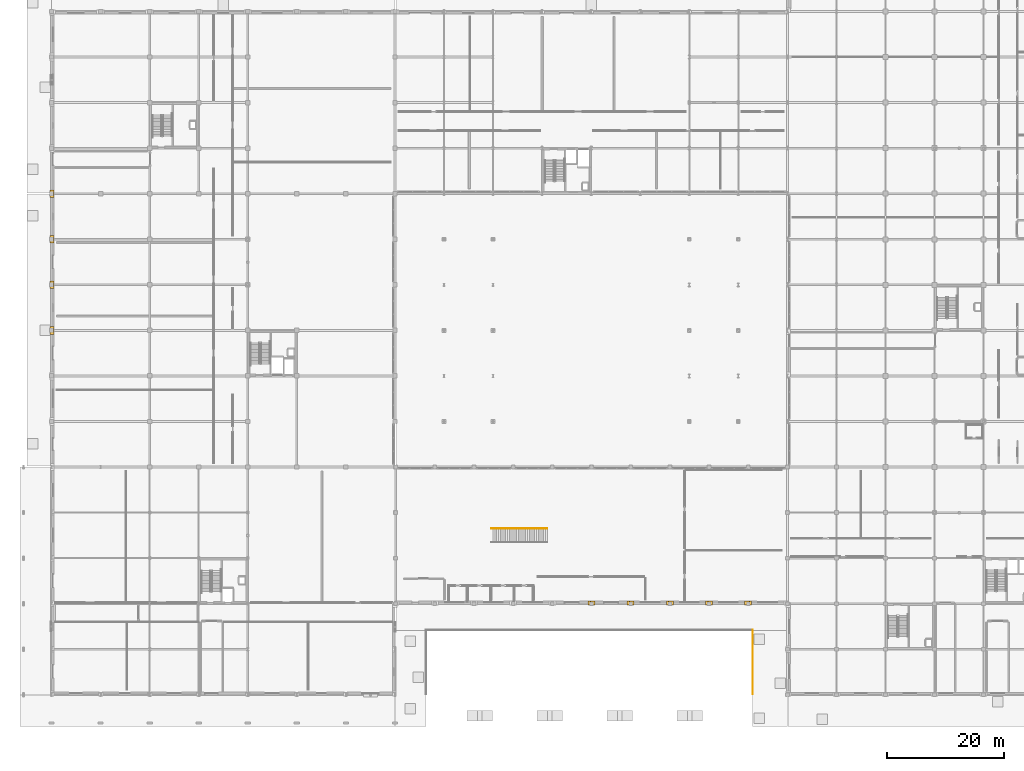
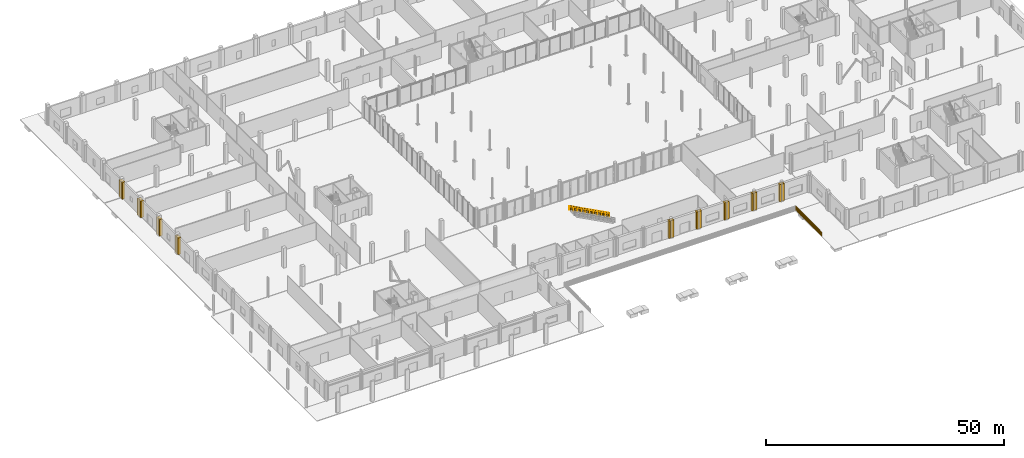
# One storey, part 71 of 80: 18 coverings, 3 railings.
"""IFC4 building model written with IfcOpenShell, lengths in metres."""

from ifc_helpers import new_model, si_unit, direction, frame, origin, origin_2d, place, context, subcontext, project, spatial, polyline, circle, outline, extrude, material, layer, layer_set, type_object, element, save


model = new_model("IFC4")

# Units and contexts
model_context = context("Model", 3, precision=1e-05, world=origin(), true_north=direction((0.0, 1.0)))
body_context = subcontext(model_context, "Body", "Model", "MODEL_VIEW")
ifc_project = project(units=[si_unit("LENGTHUNIT", "METRE"), si_unit("AREAUNIT", "SQUARE_METRE"), si_unit("VOLUMEUNIT", "CUBIC_METRE"), si_unit("PLANEANGLEUNIT", "RADIAN"), si_unit("MASSUNIT", "GRAM", prefix="KILO")], contexts=[model_context])

# Site, building, storey
site_placement = place(None, origin())
site = spatial("IfcSite", under=ifc_project, at=site_placement, CompositionType="ELEMENT")
building_placement = place(site_placement, origin())
building = spatial("IfcBuilding", under=site, at=building_placement, Name="Nabrawat Pavilion Hospital", CompositionType="ELEMENT")
storey_placement = place(building_placement, origin())
storey = spatial("IfcBuildingStorey", under=building, at=storey_placement, Name="L00", CompositionType="ELEMENT", Elevation=0.0)

# Coverings
ifc_material_1 = material(Name="Precast concrete C40/50", Category="concrete")
ifc_layer_1 = layer(ifc_material_1, 0.360107421875, Name="Precast concrete C40/50")
ifc_layer_set_1 = layer_set([ifc_layer_1], Name="Precast concrete C40/50")
covering_type = type_object("IfcCoveringType", Name="Architectural Precast Column-Jamb Closure Reveal", PredefinedType="CLADDING", material=ifc_layer_set_1)
covering_1_placement = place(storey_placement, origin())
element("IfcCovering", 1, at=covering_1_placement, inside=storey, type_object=covering_type, Name="L00 Precast Facade Column-Jamb Weatherseal Closure 0030", PredefinedType="CLADDING", context=body_context, shape_type="SweptSolid", body=[
    extrude(outline(polyline([(0.463623046875, 61.731201171875), (0.463623046875, 62.643798828125), (-0.243896484375, 62.643798828125), (-0.243896484375, 61.731201171875), (0.463623046875, 61.731201171875)])), origin(), (0.0, 0.0, 1.0), 4.260009765625),
])
covering_2_placement = place(storey_placement, origin())
element("IfcCovering", 2, at=covering_2_placement, inside=storey, type_object=covering_type, Name="L00 Precast Facade Column-Jamb Weatherseal Closure 0031", PredefinedType="CLADDING", context=body_context, shape_type="SweptSolid", body=[
    extrude(outline(polyline([(0.463623046875, 62.15625), (0.463623046875, 63.06884765625), (-0.243896484375, 63.06884765625), (-0.243896484375, 62.15625), (0.463623046875, 62.15625)])), origin(), (0.0, 0.0, 1.0), 4.2099609375),
])
covering_3_placement = place(storey_placement, origin())
element("IfcCovering", 3, at=covering_3_placement, inside=storey, type_object=covering_type, Name="L00 Precast Facade Column-Jamb Weatherseal Closure 0032", PredefinedType="CLADDING", context=body_context, shape_type="SweptSolid", body=[
    extrude(outline(polyline([(0.463623046875, 69.53125), (0.463623046875, 70.44384765625), (-0.243896484375, 70.44384765625), (-0.243896484375, 69.53125), (0.463623046875, 69.53125)])), origin(), (0.0, 0.0, 1.0), 4.2099609375),
])
covering_4_placement = place(storey_placement, origin())
element("IfcCovering", 4, at=covering_4_placement, inside=storey, type_object=covering_type, Name="L00 Precast Facade Column-Jamb Weatherseal Closure 0033", PredefinedType="CLADDING", context=body_context, shape_type="SweptSolid", body=[
    extrude(outline(polyline([(0.463623046875, 69.956298828125), (0.463623046875, 70.868896484375), (-0.243896484375, 70.868896484375), (-0.243896484375, 69.956298828125), (0.463623046875, 69.956298828125)])), origin(), (0.0, 0.0, 1.0), 4.2099609375),
])
covering_5_placement = place(storey_placement, origin())
element("IfcCovering", 5, at=covering_5_placement, inside=storey, type_object=covering_type, Name="L00 Precast Facade Column-Jamb Weatherseal Closure 0034", PredefinedType="CLADDING", context=body_context, shape_type="SweptSolid", body=[
    extrude(outline(polyline([(0.463623046875, 77.331298828125), (0.463623046875, 78.243896484375), (-0.243896484375, 78.243896484375), (-0.243896484375, 77.331298828125), (0.463623046875, 77.331298828125)])), origin(), (0.0, 0.0, 1.0), 4.2099609375),
])
covering_6_placement = place(storey_placement, origin())
element("IfcCovering", 6, at=covering_6_placement, inside=storey, type_object=covering_type, Name="L00 Precast Facade Column-Jamb Weatherseal Closure 0035", PredefinedType="CLADDING", context=body_context, shape_type="SweptSolid", body=[
    extrude(outline(polyline([(0.463623046875, 77.756103515625), (0.463623046875, 78.668701171875), (-0.243896484375, 78.668701171875), (-0.243896484375, 77.756103515625), (0.463623046875, 77.756103515625)])), origin(), (0.0, 0.0, 1.0), 4.260009765625),
])
covering_7_placement = place(storey_placement, origin())
element("IfcCovering", 7, at=covering_7_placement, inside=storey, type_object=covering_type, Name="L00 Precast Facade Column-Jamb Weatherseal Closure 0036", PredefinedType="CLADDING", context=body_context, shape_type="SweptSolid", body=[
    extrude(outline(polyline([(0.463623046875, 85.131103515625), (0.463623046875, 86.043701171875), (-0.243896484375, 86.043701171875), (-0.243896484375, 85.131103515625), (0.463623046875, 85.131103515625)])), origin(), (0.0, 0.0, 1.0), 4.260009765625),
])
covering_8_placement = place(storey_placement, origin())
element("IfcCovering", 8, at=covering_8_placement, inside=storey, type_object=covering_type, Name="L00 Precast Facade Column-Jamb Weatherseal Closure 0037", PredefinedType="CLADDING", context=body_context, shape_type="SweptSolid", body=[
    extrude(outline(polyline([(0.463623046875, 85.55615234375), (0.463623046875, 86.46875), (-0.243896484375, 86.46875), (-0.243896484375, 85.55615234375), (0.463623046875, 85.55615234375)])), origin(), (0.0, 0.0, 1.0), 4.260009765625),
])
covering_9_placement = place(storey_placement, origin())
element("IfcCovering", 9, at=covering_9_placement, inside=storey, type_object=covering_type, Name="L00 Precast Facade Column-Jamb Weatherseal Closure 0072", PredefinedType="CLADDING", context=body_context, shape_type="SweptSolid", body=[
    extrude(outline(polyline([(92.67138671875, 15.388671875), (92.67138671875, 16.03125), (91.86376953125, 16.03125), (91.86376953125, 15.388671875), (92.67138671875, 15.388671875)])), origin(), (0.0, 0.0, 1.0), 4.449951171875),
])
covering_10_placement = place(storey_placement, origin())
element("IfcCovering", 10, at=covering_10_placement, inside=storey, type_object=covering_type, Name="L00 Precast Facade Column-Jamb Weatherseal Closure 0073", PredefinedType="CLADDING", context=body_context, shape_type="SweptSolid", body=[
    extrude(outline(polyline([(93.056396484375, 15.388671875), (93.056396484375, 16.03125), (92.248779296875, 16.03125), (92.248779296875, 15.388671875), (93.056396484375, 15.388671875)])), origin(), (0.0, 0.0, 1.0), 4.449951171875),
])
covering_11_placement = place(storey_placement, origin())
element("IfcCovering", 11, at=covering_11_placement, inside=storey, type_object=covering_type, Name="L00 Precast Facade Column-Jamb Weatherseal Closure 0074", PredefinedType="CLADDING", context=body_context, shape_type="SweptSolid", body=[
    extrude(outline(polyline([(99.37939453125, 15.388671875), (99.37939453125, 16.03125), (98.57177734375, 16.03125), (98.57177734375, 15.388671875), (99.37939453125, 15.388671875)])), origin(), (0.0, 0.0, 1.0), 4.449951171875),
])
covering_12_placement = place(storey_placement, origin())
element("IfcCovering", 12, at=covering_12_placement, inside=storey, type_object=covering_type, Name="L00 Precast Facade Column-Jamb Weatherseal Closure 0075", PredefinedType="CLADDING", context=body_context, shape_type="SweptSolid", body=[
    extrude(outline(polyline([(99.764404296875, 15.388671875), (99.764404296875, 16.03125), (98.956787109375, 16.03125), (98.956787109375, 15.388671875), (99.764404296875, 15.388671875)])), origin(), (0.0, 0.0, 1.0), 4.449951171875),
])
covering_13_placement = place(storey_placement, origin())
element("IfcCovering", 13, at=covering_13_placement, inside=storey, type_object=covering_type, Name="L00 Precast Facade Column-Jamb Weatherseal Closure 0076", PredefinedType="CLADDING", context=body_context, shape_type="SweptSolid", body=[
    extrude(outline(polyline([(106.08740234375, 15.388671875), (106.08740234375, 16.03125), (105.27978515625, 16.03125), (105.27978515625, 15.388671875), (106.08740234375, 15.388671875)])), origin(), (0.0, 0.0, 1.0), 4.449951171875),
])
covering_14_placement = place(storey_placement, origin())
element("IfcCovering", 14, at=covering_14_placement, inside=storey, type_object=covering_type, Name="L00 Precast Facade Column-Jamb Weatherseal Closure 0077", PredefinedType="CLADDING", context=body_context, shape_type="SweptSolid", body=[
    extrude(outline(polyline([(106.472412109375, 15.388671875), (106.472412109375, 16.03125), (105.664794921875, 16.03125), (105.664794921875, 15.388671875), (106.472412109375, 15.388671875)])), origin(), (0.0, 0.0, 1.0), 4.449951171875),
])
covering_15_placement = place(storey_placement, origin())
element("IfcCovering", 15, at=covering_15_placement, inside=storey, type_object=covering_type, Name="L00 Precast Facade Column-Jamb Weatherseal Closure 0078", PredefinedType="CLADDING", context=body_context, shape_type="SweptSolid", body=[
    extrude(outline(polyline([(112.79541015625, 15.388671875), (112.79541015625, 16.03125), (111.98779296875, 16.03125), (111.98779296875, 15.388671875), (112.79541015625, 15.388671875)])), origin(), (0.0, 0.0, 1.0), 4.449951171875),
])
covering_16_placement = place(storey_placement, origin())
element("IfcCovering", 16, at=covering_16_placement, inside=storey, type_object=covering_type, Name="L00 Precast Facade Column-Jamb Weatherseal Closure 0079", PredefinedType="CLADDING", context=body_context, shape_type="SweptSolid", body=[
    extrude(outline(polyline([(113.180419921875, 15.388671875), (113.180419921875, 16.03125), (112.372802734375, 16.03125), (112.372802734375, 15.388671875), (113.180419921875, 15.388671875)])), origin(), (0.0, 0.0, 1.0), 4.449951171875),
])
covering_17_placement = place(storey_placement, origin())
element("IfcCovering", 17, at=covering_17_placement, inside=storey, type_object=covering_type, Name="L00 Precast Facade Column-Jamb Weatherseal Closure 0080", PredefinedType="CLADDING", context=body_context, shape_type="SweptSolid", body=[
    extrude(outline(polyline([(119.50341796875, 15.388671875), (119.50341796875, 16.03125), (118.69580078125, 16.03125), (118.69580078125, 15.388671875), (119.50341796875, 15.388671875)])), origin(), (0.0, 0.0, 1.0), 4.449951171875),
])
covering_18_placement = place(storey_placement, origin())
element("IfcCovering", 18, at=covering_18_placement, inside=storey, type_object=covering_type, Name="L00 Precast Facade Column-Jamb Weatherseal Closure 0081", PredefinedType="CLADDING", context=body_context, shape_type="SweptSolid", body=[
    extrude(outline(polyline([(119.88818359375, 15.388671875), (119.88818359375, 16.03125), (119.080810546875, 16.03125), (119.080810546875, 15.388671875), (119.88818359375, 15.388671875)])), origin(), (0.0, 0.0, 1.0), 4.35009765625),
])

# Railings
ifc_material_2 = material(Name="Stainless Steel 316", Category="steel")
ifc_layer_2 = layer(ifc_material_2, 0.070068359375, Name="Stainless Steel 316")
ifc_layer_set_2 = layer_set([ifc_layer_2], Name="Stainless Steel 316")
railing_type_1 = type_object("IfcRailingType", Name="Exterior Clinical Terrace Safety Guardrail 1100", PredefinedType="GUARDRAIL", material=ifc_layer_set_2)
railing_1_placement = place(storey_placement, frame((120.080078125, 0.10009765625, 0.0)))
element("IfcRailing", 19, at=railing_1_placement, inside=storey, type_object=railing_type_1, Name="L00 Sunken Forecourt Overlook Guardrail East", PredefinedType="GUARDRAIL", context=body_context, shape_type="SweptSolid", body=[
    extrude(circle(Radius=0.02392578125, at=origin_2d()), frame((0.0, 0.0, 1.076171875), z_axis=(0.0, 1.0, 0.0), x_axis=(-1.0, 0.0, 0.0)), (0.0, 0.0, 1.0), 11.02001953125),
    extrude(circle(Radius=0.02392578125, at=origin_2d()), frame((0.0, 0.0, 0.10009765625), z_axis=(0.0, 1.0, 0.0), x_axis=(-1.0, 0.0, 0.0)), (0.0, 0.0, 1.0), 11.02001953125),
    extrude(circle(Radius=0.02392578125, at=origin_2d()), frame((0.0, 0.0, 0.60498046875), z_axis=(0.0, 1.0, 0.0), x_axis=(-1.0, 0.0, 0.0)), (0.0, 0.0, 1.0), 11.02001953125),
    extrude(circle(Radius=0.008056640625, at=origin_2d()), frame((0.0, 0.239501953125, 0.10009765625)), (0.0, 0.0, 1.0), 0.951904296875),
    extrude(circle(Radius=0.008056640625, at=origin_2d()), frame((0.0, 0.479248046875, 0.10009765625)), (0.0, 0.0, 1.0), 0.951904296875),
    extrude(circle(Radius=0.008056640625, at=origin_2d()), frame((0.0, 0.71875, 0.10009765625)), (0.0, 0.0, 1.0), 0.951904296875),
    extrude(circle(Radius=0.008056640625, at=origin_2d()), frame((0.0, 0.958251953125, 0.10009765625)), (0.0, 0.0, 1.0), 0.951904296875),
    extrude(circle(Radius=0.008056640625, at=origin_2d()), frame((0.0, 1.19775390625, 0.10009765625)), (0.0, 0.0, 1.0), 0.951904296875),
    extrude(circle(Radius=0.008056640625, at=origin_2d()), frame((0.0, 1.4375, 0.10009765625)), (0.0, 0.0, 1.0), 0.951904296875),
    extrude(circle(Radius=0.008056640625, at=origin_2d()), frame((0.0, 1.677001953125, 0.10009765625)), (0.0, 0.0, 1.0), 0.951904296875),
    extrude(circle(Radius=0.008056640625, at=origin_2d()), frame((0.0, 1.91650390625, 0.10009765625)), (0.0, 0.0, 1.0), 0.951904296875),
    extrude(circle(Radius=0.008056640625, at=origin_2d()), frame((0.0, 2.395751953125, 0.10009765625)), (0.0, 0.0, 1.0), 0.951904296875),
    extrude(circle(Radius=0.008056640625, at=origin_2d()), frame((0.0, 2.63525390625, 0.10009765625)), (0.0, 0.0, 1.0), 0.951904296875),
    extrude(circle(Radius=0.008056640625, at=origin_2d()), frame((0.0, 2.874755859375, 0.10009765625)), (0.0, 0.0, 1.0), 0.951904296875),
    extrude(circle(Radius=0.008056640625, at=origin_2d()), frame((0.0, 3.1142578125, 0.10009765625)), (0.0, 0.0, 1.0), 0.951904296875),
    extrude(circle(Radius=0.008056640625, at=origin_2d()), frame((0.0, 3.593505859375, 0.10009765625)), (0.0, 0.0, 1.0), 0.951904296875),
    extrude(circle(Radius=0.008056640625, at=origin_2d()), frame((0.0, 3.8330078125, 0.10009765625)), (0.0, 0.0, 1.0), 0.951904296875),
    extrude(circle(Radius=0.008056640625, at=origin_2d()), frame((0.0, 4.072509765625, 0.10009765625)), (0.0, 0.0, 1.0), 0.951904296875),
    extrude(circle(Radius=0.008056640625, at=origin_2d()), frame((0.0, 4.312255859375, 0.10009765625)), (0.0, 0.0, 1.0), 0.951904296875),
    extrude(circle(Radius=0.008056640625, at=origin_2d()), frame((0.0, 4.5517578125, 0.10009765625)), (0.0, 0.0, 1.0), 0.951904296875),
    extrude(circle(Radius=0.008056640625, at=origin_2d()), frame((0.0, 4.791259765625, 0.10009765625)), (0.0, 0.0, 1.0), 0.951904296875),
    extrude(circle(Radius=0.008056640625, at=origin_2d()), frame((0.0, 5.03076171875, 0.10009765625)), (0.0, 0.0, 1.0), 0.951904296875),
    extrude(circle(Radius=0.008056640625, at=origin_2d()), frame((0.0, 5.2705078125, 0.10009765625)), (0.0, 0.0, 1.0), 0.951904296875),
    extrude(circle(Radius=0.008056640625, at=origin_2d()), frame((0.0, 5.74951171875, 0.10009765625)), (0.0, 0.0, 1.0), 0.951904296875),
    extrude(circle(Radius=0.008056640625, at=origin_2d()), frame((0.0, 5.9892578125, 0.10009765625)), (0.0, 0.0, 1.0), 0.951904296875),
    extrude(circle(Radius=0.008056640625, at=origin_2d()), frame((0.0, 6.228759765625, 0.10009765625)), (0.0, 0.0, 1.0), 0.951904296875),
    extrude(circle(Radius=0.008056640625, at=origin_2d()), frame((0.0, 6.46826171875, 0.10009765625)), (0.0, 0.0, 1.0), 0.951904296875),
    extrude(circle(Radius=0.008056640625, at=origin_2d()), frame((0.0, 6.707763671875, 0.10009765625)), (0.0, 0.0, 1.0), 0.951904296875),
    extrude(circle(Radius=0.008056640625, at=origin_2d()), frame((0.0, 6.947509765625, 0.10009765625)), (0.0, 0.0, 1.0), 0.951904296875),
    extrude(circle(Radius=0.008056640625, at=origin_2d()), frame((0.0, 7.18701171875, 0.10009765625)), (0.0, 0.0, 1.0), 0.951904296875),
    extrude(circle(Radius=0.008056640625, at=origin_2d()), frame((0.0, 7.426513671875, 0.10009765625)), (0.0, 0.0, 1.0), 0.951904296875),
    extrude(circle(Radius=0.008056640625, at=origin_2d()), frame((0.0, 7.90576171875, 0.10009765625)), (0.0, 0.0, 1.0), 0.951904296875),
    extrude(circle(Radius=0.008056640625, at=origin_2d()), frame((0.0, 8.145263671875, 0.10009765625)), (0.0, 0.0, 1.0), 0.951904296875),
    extrude(circle(Radius=0.008056640625, at=origin_2d()), frame((0.0, 8.384765625, 0.10009765625)), (0.0, 0.0, 1.0), 0.951904296875),
    extrude(circle(Radius=0.008056640625, at=origin_2d()), frame((0.0, 8.624267578125, 0.10009765625)), (0.0, 0.0, 1.0), 0.951904296875),
    extrude(circle(Radius=0.008056640625, at=origin_2d()), frame((0.0, 9.103515625, 0.10009765625)), (0.0, 0.0, 1.0), 0.951904296875),
    extrude(circle(Radius=0.008056640625, at=origin_2d()), frame((0.0, 9.343017578125, 0.10009765625)), (0.0, 0.0, 1.0), 0.951904296875),
    extrude(circle(Radius=0.008056640625, at=origin_2d()), frame((0.0, 9.58251953125, 0.10009765625)), (0.0, 0.0, 1.0), 0.951904296875),
    extrude(circle(Radius=0.008056640625, at=origin_2d()), frame((0.0, 9.822265625, 0.10009765625)), (0.0, 0.0, 1.0), 0.951904296875),
    extrude(circle(Radius=0.008056640625, at=origin_2d()), frame((0.0, 10.061767578125, 0.10009765625)), (0.0, 0.0, 1.0), 0.951904296875),
    extrude(circle(Radius=0.008056640625, at=origin_2d()), frame((0.0, 10.30126953125, 0.10009765625)), (0.0, 0.0, 1.0), 0.951904296875),
    extrude(circle(Radius=0.008056640625, at=origin_2d()), frame((0.0, 10.540771484375, 0.10009765625)), (0.0, 0.0, 1.0), 0.951904296875),
    extrude(circle(Radius=0.008056640625, at=origin_2d()), frame((0.0, 10.780517578125, 0.10009765625)), (0.0, 0.0, 1.0), 0.951904296875),
    extrude(circle(Radius=0.02099609375, at=origin_2d()), origin(), (0.0, 0.0, 1.0), 1.052001953125),
    extrude(circle(Radius=0.02099609375, at=origin_2d()), frame((0.0, 1.10205078125, 0.0)), (0.0, 0.0, 1.0), 1.052001953125),
    extrude(circle(Radius=0.02099609375, at=origin_2d()), frame((0.0, 2.2041015625, 0.0)), (0.0, 0.0, 1.0), 1.052001953125),
    extrude(circle(Radius=0.02099609375, at=origin_2d()), frame((0.0, 3.305908203125, 0.0)), (0.0, 0.0, 1.0), 1.052001953125),
    extrude(circle(Radius=0.02099609375, at=origin_2d()), frame((0.0, 4.407958984375, 0.0)), (0.0, 0.0, 1.0), 1.052001953125),
    extrude(circle(Radius=0.02099609375, at=origin_2d()), frame((0.0, 5.510009765625, 0.0)), (0.0, 0.0, 1.0), 1.052001953125),
    extrude(circle(Radius=0.02099609375, at=origin_2d()), frame((0.0, 6.612060546875, 0.0)), (0.0, 0.0, 1.0), 1.052001953125),
    extrude(circle(Radius=0.02099609375, at=origin_2d()), frame((0.0, 7.714111328125, 0.0)), (0.0, 0.0, 1.0), 1.052001953125),
    extrude(circle(Radius=0.02099609375, at=origin_2d()), frame((0.0, 8.81591796875, 0.0)), (0.0, 0.0, 1.0), 1.052001953125),
    extrude(circle(Radius=0.02099609375, at=origin_2d()), frame((0.0, 9.91796875, 0.0)), (0.0, 0.0, 1.0), 1.052001953125),
    extrude(circle(Radius=0.02099609375, at=origin_2d()), frame((0.0, 11.02001953125, 0.0)), (0.0, 0.0, 1.0), 1.052001953125),
])
ifc_layer_3 = layer(ifc_material_2, 0.050048828125, Name="Stainless Steel 316")
ifc_layer_set_3 = layer_set([ifc_layer_3], Name="Stainless Steel 316")
railing_type_2 = type_object("IfcRailingType", Name="Stair Open-Well Safety Guardrail 1100", PredefinedType="GUARDRAIL", material=ifc_layer_set_3)
railing_2_placement = place(storey_placement, frame((84.89990234375, 28.4599609375, 0.0)))
element("IfcRailing", 20, at=railing_2_placement, inside=storey, type_object=railing_type_2, Name="L00 Main Concourse Monumental Gallery Stair Open-Edge Guardrail R", PredefinedType="GUARDRAIL", context=body_context, shape_type="SweptSolid", body=[
    extrude(circle(Radius=0.02392578125, at=origin_2d()), frame((0.0, 0.0, 1.076171875), z_axis=(-0.876915962566, 0.0, 0.480643729384), x_axis=(0.0, -1.0, 0.0)), (0.0, 0.0, 1.0), 10.611083984375),
    extrude(circle(Radius=0.02392578125, at=origin_2d()), frame((0.0, 0.0, 0.10009765625), z_axis=(-0.876915962566, 0.0, 0.480643729384), x_axis=(0.0, -1.0, 0.0)), (0.0, 0.0, 1.0), 10.611083984375),
    extrude(circle(Radius=0.02392578125, at=origin_2d()), frame((0.0, 0.0, 0.60498046875), z_axis=(-0.876915962566, 0.0, 0.480643729384), x_axis=(0.0, -1.0, 0.0)), (0.0, 0.0, 1.0), 10.611083984375),
    extrude(circle(Radius=0.008056640625, at=origin_2d()), frame((-0.206787109375, 0.0, 0.21337890625)), (0.0, 0.0, 1.0), 0.951904296875),
    extrude(circle(Radius=0.008056640625, at=origin_2d()), frame((-0.41357421875, 0.0, 0.32666015625)), (0.0, 0.0, 1.0), 0.951904296875),
    extrude(circle(Radius=0.008056640625, at=origin_2d()), frame((-0.620361328125, 0.0, 0.43994140625)), (0.0, 0.0, 1.0), 0.951904296875),
    extrude(circle(Radius=0.008056640625, at=origin_2d()), frame((-0.8271484375, 0.0, 0.55322265625)), (0.0, 0.0, 1.0), 0.951904296875),
    extrude(circle(Radius=0.008056640625, at=origin_2d()), frame((-1.24072265625, 0.0, 0.780029296875)), (0.0, 0.0, 1.0), 0.951904296875),
    extrude(circle(Radius=0.008056640625, at=origin_2d()), frame((-1.447509765625, 0.0, 0.893310546875)), (0.0, 0.0, 1.0), 0.951904296875),
    extrude(circle(Radius=0.008056640625, at=origin_2d()), frame((-1.654296875, 0.0, 1.006591796875)), (0.0, 0.0, 1.0), 0.951904296875),
    extrude(circle(Radius=0.008056640625, at=origin_2d()), frame((-1.861083984375, 0.0, 1.1201171875)), (0.0, 0.0, 1.0), 0.951904296875),
    extrude(circle(Radius=0.008056640625, at=origin_2d()), frame((-2.274658203125, 0.0, 1.3466796875)), (0.0, 0.0, 1.0), 0.951904296875),
    extrude(circle(Radius=0.008056640625, at=origin_2d()), frame((-2.481201171875, 0.0, 1.4599609375)), (0.0, 0.0, 1.0), 0.951904296875),
    extrude(circle(Radius=0.008056640625, at=origin_2d()), frame((-2.68798828125, 0.0, 1.5732421875)), (0.0, 0.0, 1.0), 0.951904296875),
    extrude(circle(Radius=0.008056640625, at=origin_2d()), frame((-2.894775390625, 0.0, 1.686767578125)), (0.0, 0.0, 1.0), 0.951904296875),
    extrude(circle(Radius=0.008056640625, at=origin_2d()), frame((-3.308349609375, 0.0, 1.913330078125)), (0.0, 0.0, 1.0), 0.951904296875),
    extrude(circle(Radius=0.008056640625, at=origin_2d()), frame((-3.51513671875, 0.0, 2.026611328125)), (0.0, 0.0, 1.0), 0.951904296875),
    extrude(circle(Radius=0.008056640625, at=origin_2d()), frame((-3.721923828125, 0.0, 2.14013671875)), (0.0, 0.0, 1.0), 0.951904296875),
    extrude(circle(Radius=0.008056640625, at=origin_2d()), frame((-3.9287109375, 0.0, 2.25341796875)), (0.0, 0.0, 1.0), 0.951904296875),
    extrude(circle(Radius=0.008056640625, at=origin_2d()), frame((-4.34228515625, 0.0, 2.47998046875)), (0.0, 0.0, 1.0), 0.951904296875),
    extrude(circle(Radius=0.008056640625, at=origin_2d()), frame((-4.549072265625, 0.0, 2.59326171875)), (0.0, 0.0, 1.0), 0.951904296875),
    extrude(circle(Radius=0.008056640625, at=origin_2d()), frame((-4.755859375, 0.0, 2.706787109375)), (0.0, 0.0, 1.0), 0.951904296875),
    extrude(circle(Radius=0.008056640625, at=origin_2d()), frame((-4.962646484375, 0.0, 2.820068359375)), (0.0, 0.0, 1.0), 0.951904296875),
    extrude(circle(Radius=0.008056640625, at=origin_2d()), frame((-5.376220703125, 0.0, 3.046630859375)), (0.0, 0.0, 1.0), 0.951904296875),
    extrude(circle(Radius=0.008056640625, at=origin_2d()), frame((-5.5830078125, 0.0, 3.16015625)), (0.0, 0.0, 1.0), 0.951904296875),
    extrude(circle(Radius=0.008056640625, at=origin_2d()), frame((-5.789794921875, 0.0, 3.2734375)), (0.0, 0.0, 1.0), 0.951904296875),
    extrude(circle(Radius=0.008056640625, at=origin_2d()), frame((-5.99658203125, 0.0, 3.38671875)), (0.0, 0.0, 1.0), 0.951904296875),
    extrude(circle(Radius=0.008056640625, at=origin_2d()), frame((-6.41015625, 0.0, 3.61328125)), (0.0, 0.0, 1.0), 0.951904296875),
    extrude(circle(Radius=0.008056640625, at=origin_2d()), frame((-6.616943359375, 0.0, 3.726806640625)), (0.0, 0.0, 1.0), 0.951904296875),
    extrude(circle(Radius=0.008056640625, at=origin_2d()), frame((-6.82373046875, 0.0, 3.840087890625)), (0.0, 0.0, 1.0), 0.951904296875),
    extrude(circle(Radius=0.008056640625, at=origin_2d()), frame((-7.0302734375, 0.0, 3.953369140625)), (0.0, 0.0, 1.0), 0.951904296875),
    extrude(circle(Radius=0.008056640625, at=origin_2d()), frame((-7.44384765625, 0.0, 4.18017578125)), (0.0, 0.0, 1.0), 0.951904296875),
    extrude(circle(Radius=0.008056640625, at=origin_2d()), frame((-7.650634765625, 0.0, 4.29345703125)), (0.0, 0.0, 1.0), 0.951904296875),
    extrude(circle(Radius=0.008056640625, at=origin_2d()), frame((-7.857421875, 0.0, 4.40673828125)), (0.0, 0.0, 1.0), 0.951904296875),
    extrude(circle(Radius=0.008056640625, at=origin_2d()), frame((-8.064208984375, 0.0, 4.52001953125)), (0.0, 0.0, 1.0), 0.951904296875),
    extrude(circle(Radius=0.008056640625, at=origin_2d()), frame((-8.477783203125, 0.0, 4.746826171875)), (0.0, 0.0, 1.0), 0.951904296875),
    extrude(circle(Radius=0.008056640625, at=origin_2d()), frame((-8.6845703125, 0.0, 4.860107421875)), (0.0, 0.0, 1.0), 0.951904296875),
    extrude(circle(Radius=0.008056640625, at=origin_2d()), frame((-8.891357421875, 0.0, 4.973388671875)), (0.0, 0.0, 1.0), 0.951904296875),
    extrude(circle(Radius=0.008056640625, at=origin_2d()), frame((-9.09814453125, 0.0, 5.086669921875)), (0.0, 0.0, 1.0), 0.951904296875),
    extrude(circle(Radius=0.02099609375, at=origin_2d()), origin(), (0.0, 0.0, 1.0), 1.052001953125),
    extrude(circle(Radius=0.02099609375, at=origin_2d()), frame((-1.033935546875, 0.0, 0.566650390625)), (0.0, 0.0, 1.0), 1.052001953125),
    extrude(circle(Radius=0.02099609375, at=origin_2d()), frame((-2.06787109375, 0.0, 1.13330078125)), (0.0, 0.0, 1.0), 1.052001953125),
    extrude(circle(Radius=0.02099609375, at=origin_2d()), frame((-3.1015625, 0.0, 1.699951171875)), (0.0, 0.0, 1.0), 1.052001953125),
    extrude(circle(Radius=0.02099609375, at=origin_2d()), frame((-4.135498046875, 0.0, 2.2666015625)), (0.0, 0.0, 1.0), 1.052001953125),
    extrude(circle(Radius=0.02099609375, at=origin_2d()), frame((-5.16943359375, 0.0, 2.83349609375)), (0.0, 0.0, 1.0), 1.052001953125),
    extrude(circle(Radius=0.02099609375, at=origin_2d()), frame((-6.203369140625, 0.0, 3.400146484375)), (0.0, 0.0, 1.0), 1.052001953125),
    extrude(circle(Radius=0.02099609375, at=origin_2d()), frame((-7.237060546875, 0.0, 3.966796875)), (0.0, 0.0, 1.0), 1.052001953125),
    extrude(circle(Radius=0.02099609375, at=origin_2d()), frame((-8.27099609375, 0.0, 4.533447265625)), (0.0, 0.0, 1.0), 1.052001953125),
    extrude(circle(Radius=0.02099609375, at=origin_2d()), frame((-9.304931640625, 0.0, 5.10009765625)), (0.0, 0.0, 1.0), 1.052001953125),
])
ifc_layer_4 = layer(ifc_material_2, 0.044921875, Name="Stainless Steel 316")
ifc_layer_set_4 = layer_set([ifc_layer_4], Name="Stainless Steel 316")
railing_type_3 = type_object("IfcRailingType", Name="Stair Pitch Continuous Handrail 920", PredefinedType="HANDRAIL", material=ifc_layer_set_4)
railing_3_placement = place(storey_placement, frame((84.89990234375, 28.4599609375, 0.167236328125)))
element("IfcRailing", 21, at=railing_3_placement, inside=storey, type_object=railing_type_3, Name="L00 Main Concourse Monumental Gallery Stair Handrail R", PredefinedType="HANDRAIL", context=body_context, shape_type="SweptSolid", body=[
    extrude(circle(Radius=0.02392578125, at=origin_2d()), frame((0.0, 0.0, 0.89599609375), z_axis=(-0.88341497201, 0.0, 0.468591492911), x_axis=(0.0, -1.0, 0.0)), (0.0, 0.0, 1.0), 10.8837890625),
    extrude(circle(Radius=0.02099609375, at=origin_2d()), origin(), (0.0, 0.0, 1.0), 0.871826171875),
    extrude(circle(Radius=0.02099609375, at=origin_2d()), frame((-0.96142578125, 0.0, 0.510009765625)), (0.0, 0.0, 1.0), 0.871826171875),
    extrude(circle(Radius=0.02099609375, at=origin_2d()), frame((-1.923095703125, 0.0, 1.02001953125)), (0.0, 0.0, 1.0), 0.871826171875),
    extrude(circle(Radius=0.02099609375, at=origin_2d()), frame((-2.884521484375, 0.0, 1.530029296875)), (0.0, 0.0, 1.0), 0.871826171875),
    extrude(circle(Radius=0.02099609375, at=origin_2d()), frame((-3.845947265625, 0.0, 2.0400390625)), (0.0, 0.0, 1.0), 0.871826171875),
    extrude(circle(Radius=0.02099609375, at=origin_2d()), frame((-4.8076171875, 0.0, 2.550048828125)), (0.0, 0.0, 1.0), 0.871826171875),
    extrude(circle(Radius=0.02099609375, at=origin_2d()), frame((-5.76904296875, 0.0, 3.06005859375)), (0.0, 0.0, 1.0), 0.871826171875),
    extrude(circle(Radius=0.02099609375, at=origin_2d()), frame((-6.73046875, 0.0, 3.570068359375)), (0.0, 0.0, 1.0), 0.871826171875),
    extrude(circle(Radius=0.02099609375, at=origin_2d()), frame((-7.69189453125, 0.0, 4.080078125)), (0.0, 0.0, 1.0), 0.871826171875),
    extrude(circle(Radius=0.02099609375, at=origin_2d()), frame((-8.653564453125, 0.0, 4.590087890625)), (0.0, 0.0, 1.0), 0.871826171875),
    extrude(circle(Radius=0.02099609375, at=origin_2d()), frame((-9.614990234375, 0.0, 5.10009765625)), (0.0, 0.0, 1.0), 0.871826171875),
])

save(model, "model.ifc")
